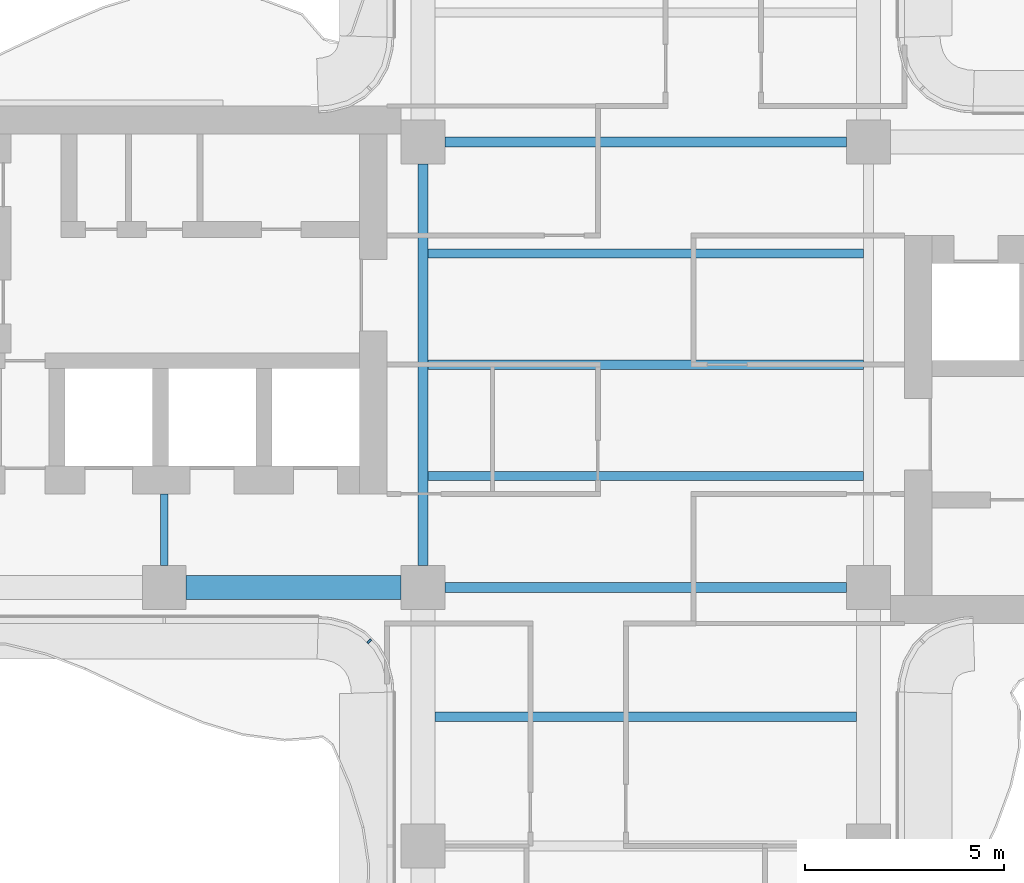
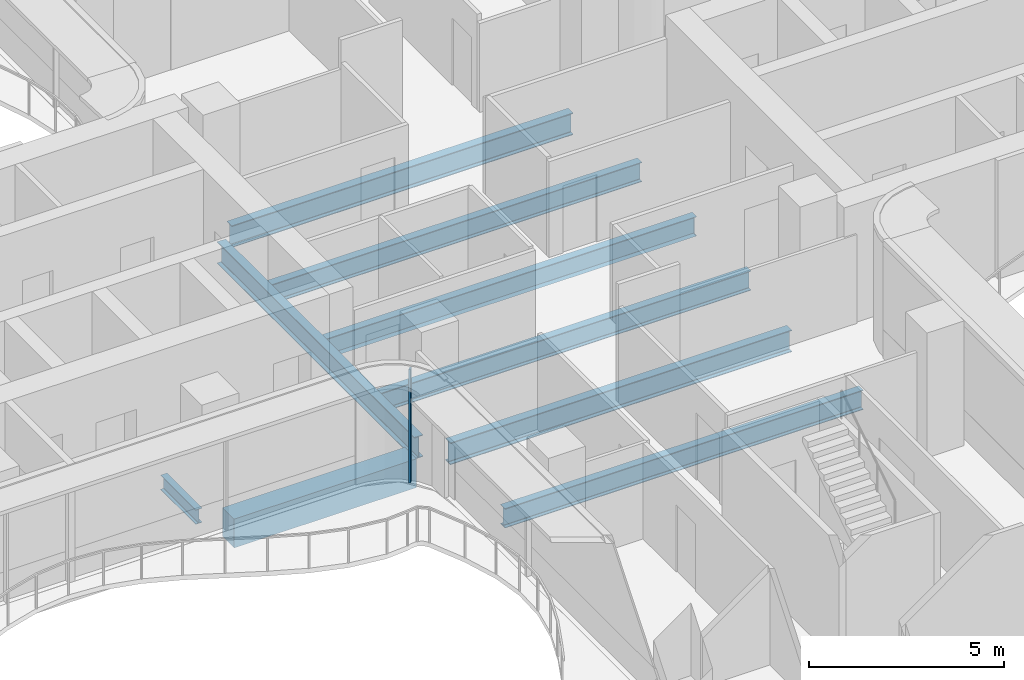
# One storey, part 4 of 17: 9 beams, 1 member, 1 element without a shape of its own.
"""IFC4 building model written with IfcOpenShell, lengths in metres."""

from ifc_helpers import new_model, si_unit, direction, frame, origin, origin_2d, place, context, subcontext, project, spatial, rectangle, i_section, extrude, source, transform, mapped, material, layer, layer_set, material_profile, profile_set, type_object, element, aggregate, save


model = new_model("IFC4")

# Units and contexts
model_context = context("Model", 3, precision=1e-05, world=origin(), true_north=direction((0.0, 1.0)))
body_context = subcontext(model_context, "Body", "Model", "MODEL_VIEW")
ifc_project = project(units=[si_unit("LENGTHUNIT", "METRE"), si_unit("AREAUNIT", "SQUARE_METRE"), si_unit("VOLUMEUNIT", "CUBIC_METRE"), si_unit("PLANEANGLEUNIT", "RADIAN"), si_unit("MASSUNIT", "GRAM", prefix="KILO")], contexts=[model_context])

# Site, building, storey
site_placement = place(None, origin())
site = spatial("IfcSite", under=ifc_project, at=site_placement, CompositionType="ELEMENT")
building_placement = place(site_placement, origin())
building = spatial("IfcBuilding", under=site, at=building_placement, Name="Trellis Farm Tower", CompositionType="ELEMENT")
storey_placement = place(building_placement, frame((0.0, 0.0, 240.199951171875)))
storey = spatial("IfcBuildingStorey", under=building, at=storey_placement, Name="L53", CompositionType="ELEMENT", Elevation=240.199951171875)

# Beams
ifc_material_1 = material(Name="Steel S355", Category="steel")
ifc_material_profile_1 = material_profile(ifc_material_1, i_section(OverallWidth=0.22900390625, OverallDepth=0.6123046875, WebThickness=0.011962890625, FlangeThickness=0.01953125, FilletRadius=0.0126953125, at=origin_2d()), Name="UB 610x229x125")
ifc_profile_set_1 = profile_set([ifc_material_profile_1], Name="Steel S355")
beam_type_1 = type_object("IfcBeamType", Name="UB 610x229x125 joist", PredefinedType="JOIST", material=ifc_profile_set_1)
shared_shape_1 = source(origin(), body_context, "Body", "SweptSolid", [
    extrude(i_section(OverallWidth=0.22900390625, OverallDepth=0.6123046875, WebThickness=0.011962890625, FlangeThickness=0.01953125, FilletRadius=0.0126953125, at=origin_2d()), origin(), (0.0, 0.0, 1.0), 10.9462890625),
])
for number, where, z_axis, x_axis, name in (
    (1, (-5.47314453125, -2.800048828125, -0.506103515625), (1.0, 0.0, 0.0), (0.0, 1.0, 0.0), "Floor beam"),
    (2, (-5.47314453125, 0.0, -0.506103515625), (1.0, 0.0, 0.0), (0.0, 1.0, 0.0), "Floor beam"),
    (3, (-5.47314453125, 2.800048828125, -0.506103515625), (1.0, 0.0, 0.0), (0.0, 1.0, 0.0), "Floor beam"),
):
    element("IfcBeam", number, at=place(storey_placement, frame(where, z_axis=z_axis, x_axis=x_axis)), inside=storey, type_object=beam_type_1, Name=name, PredefinedType="JOIST", context=body_context, shape_type="MappedRepresentation", body=[
        mapped(shared_shape_1, transform((0.0, 0.0, 0.0))),
    ])
shared_shape_2 = source(origin(), body_context, "Body", "SweptSolid", [
    extrude(i_section(OverallWidth=0.22900390625, OverallDepth=0.6123046875, WebThickness=0.011962890625, FlangeThickness=0.01953125, FilletRadius=0.0126953125, at=origin_2d()), origin(), (0.0, 0.0, 1.0), 10.60009765625),
])
beam_1_placement = place(storey_placement, frame((-5.300048828125, -8.85009765625, -0.506103515625), z_axis=(1.0, 0.0, 0.0), x_axis=(0.0, 1.0, 0.0)))
element("IfcBeam", 4, at=beam_1_placement, inside=storey, type_object=beam_type_1, Name="Floor beam", PredefinedType="JOIST", context=body_context, shape_type="MappedRepresentation", body=[
    mapped(shared_shape_2, transform((0.0, 0.0, 0.0))),
])
ifc_material_profile_2 = material_profile(ifc_material_1, i_section(OverallWidth=0.253662109375, OverallDepth=0.68359375, WebThickness=0.012451171875, FlangeThickness=0.021728515625, FilletRadius=0.01513671875, at=origin_2d()), Name="UB 686x254x140")
ifc_profile_set_2 = profile_set([ifc_material_profile_2], Name="Steel S355")
beam_type_2 = type_object("IfcBeamType", Name="UB 686x254x140", PredefinedType="BEAM", material=ifc_profile_set_2)
shared_shape_3 = source(origin(), body_context, "Body", "SweptSolid", [
    extrude(i_section(OverallWidth=0.253662109375, OverallDepth=0.68359375, WebThickness=0.012451171875, FlangeThickness=0.021728515625, FilletRadius=0.01513671875, at=origin_2d()), origin(), (0.0, 0.0, 1.0), 10.10009765625),
])
for number, where, z_axis, x_axis, name in (
    (5, (-5.050048828125, -5.60009765625, -0.541748046875), (1.0, 0.0, 0.0), (0.0, 1.0, 0.0), "Girder"),
    (6, (-5.050048828125, 5.60009765625, -0.541748046875), (1.0, 0.0, 0.0), (0.0, 1.0, 0.0), "Girder"),
    (7, (-5.60009765625, -5.050048828125, -0.541748046875), (0.0, 1.0, 0.0), (-1.0, 0.0, 0.0), "Girder"),
):
    element("IfcBeam", number, at=place(storey_placement, frame(where, z_axis=z_axis, x_axis=x_axis)), inside=storey, type_object=beam_type_2, Name=name, PredefinedType="BEAM", context=body_context, shape_type="MappedRepresentation", body=[
        mapped(shared_shape_3, transform((0.0, 0.0, 0.0))),
    ])
ifc_material_profile_3 = material_profile(ifc_material_1, i_section(OverallWidth=0.1904296875, OverallDepth=0.45703125, WebThickness=0.009033203125, FlangeThickness=0.014404296875, FilletRadius=0.01025390625, at=origin_2d()), Name="UB 457x191x74")
ifc_profile_set_3 = profile_set([ifc_material_profile_3], Name="Steel S355")
beam_type_3 = type_object("IfcBeamType", Name="UB 457x191x74", PredefinedType="BEAM", material=ifc_profile_set_3)
shared_shape_4 = source(origin(), body_context, "Body", "SweptSolid", [
    extrude(i_section(OverallWidth=0.1904296875, OverallDepth=0.45703125, WebThickness=0.009033203125, FlangeThickness=0.014404296875, FilletRadius=0.01025390625, at=origin_2d()), origin(), (0.0, 0.0, 1.0), 1.800048828125),
])
beam_2_placement = place(storey_placement, frame((-12.10009765625, -5.050048828125, -0.428466796875), z_axis=(0.0, 1.0, 0.0), x_axis=(-1.0, 0.0, 0.0)))
element("IfcBeam", 8, at=beam_2_placement, inside=storey, type_object=beam_type_3, Name="Girder", PredefinedType="BEAM", context=body_context, shape_type="MappedRepresentation", body=[
    mapped(shared_shape_4, transform((0.0, 0.0, 0.0))),
])
ifc_material_2 = material(Name="Concrete C60/75", Category="concrete")
ifc_material_profile_4 = material_profile(ifc_material_2, rectangle(XDim=0.60009765625, YDim=0.89990234375, at=origin_2d()), Name="RC spandrel beam 600x900 C60/75")
ifc_profile_set_4 = profile_set([ifc_material_profile_4], Name="Concrete C60/75")
beam_type_4 = type_object("IfcBeamType", Name="RC spandrel beam 600x900 C60/75", PredefinedType="SPANDREL", material=ifc_profile_set_4)
shared_shape_5 = source(origin(), body_context, "Body", "SweptSolid", [
    extrude(rectangle(XDim=0.60009765625, YDim=0.89990234375, at=origin_2d()), origin(), (0.0, 0.0, 1.0), 5.400146484375),
])
beam_3_placement = place(storey_placement, frame((-11.550048828125, -5.60009765625, -0.64990234375), z_axis=(1.0, 0.0, 0.0), x_axis=(0.0, 1.0, 0.0)))
element("IfcBeam", 9, at=beam_3_placement, inside=storey, type_object=beam_type_4, Name="Girder", PredefinedType="SPANDREL", context=body_context, shape_type="MappedRepresentation", body=[
    mapped(shared_shape_5, transform((0.0, 0.0, 0.0))),
])

# Curtain wall, member
ifc_material_3 = material(Name="Aluminium and glass curtain wall", Category="aluminium")
ifc_layer = layer(ifc_material_3, 0.166015625)
ifc_layer_set = layer_set([ifc_layer], Name="WINTER GARDEN CURTAIN WALL CW3")
curtain_wall_type = type_object("IfcCurtainWallType", Name="WINTER GARDEN CURTAIN WALL CW3", PredefinedType="NOTDEFINED", material=ifc_layer_set)
curtain_wall_placement = place(storey_placement, origin())
curtain_wall = element("IfcCurtainWall", 10, at=curtain_wall_placement, inside=storey, type_object=curtain_wall_type, Name="CW3 001", PredefinedType="NOTDEFINED")
ifc_material_4 = material(Name="Aluminium extrusion 6063-T6", Category="aluminium")
ifc_material_profile_5 = material_profile(ifc_material_4, rectangle(XDim=0.050048828125, YDim=0.1201171875, at=origin_2d()), Name="MULLION 50x120")
ifc_profile_set_5 = profile_set([ifc_material_profile_5], Name="Aluminium extrusion 6063-T6")
member_type = type_object("IfcMemberType", Name="CW3 MULLION 50x120", PredefinedType="MULLION", material=ifc_profile_set_5)
shared_shape_6 = source(origin(), body_context, "Body", "SweptSolid", [
    extrude(rectangle(XDim=0.050048828125, YDim=0.1201171875, at=origin_2d()), origin(), (0.0, 0.0, 1.0), 3.550048828125),
])
member_placement = place(storey_placement, frame((-6.953125, -6.953125, 0.0), z_axis=(0.0, 0.0, 1.0), x_axis=(0.707106781187, -0.707106781187, 0.0)))
member = element("IfcMember", 11, at=member_placement, type_object=member_type, Name="MU3 001-01", PredefinedType="MULLION", context=body_context, shape_type="MappedRepresentation", body=[
    mapped(shared_shape_6, transform((0.0, 0.0, 0.0))),
])
aggregate(curtain_wall, [member])

save(model, "model.ifc")
